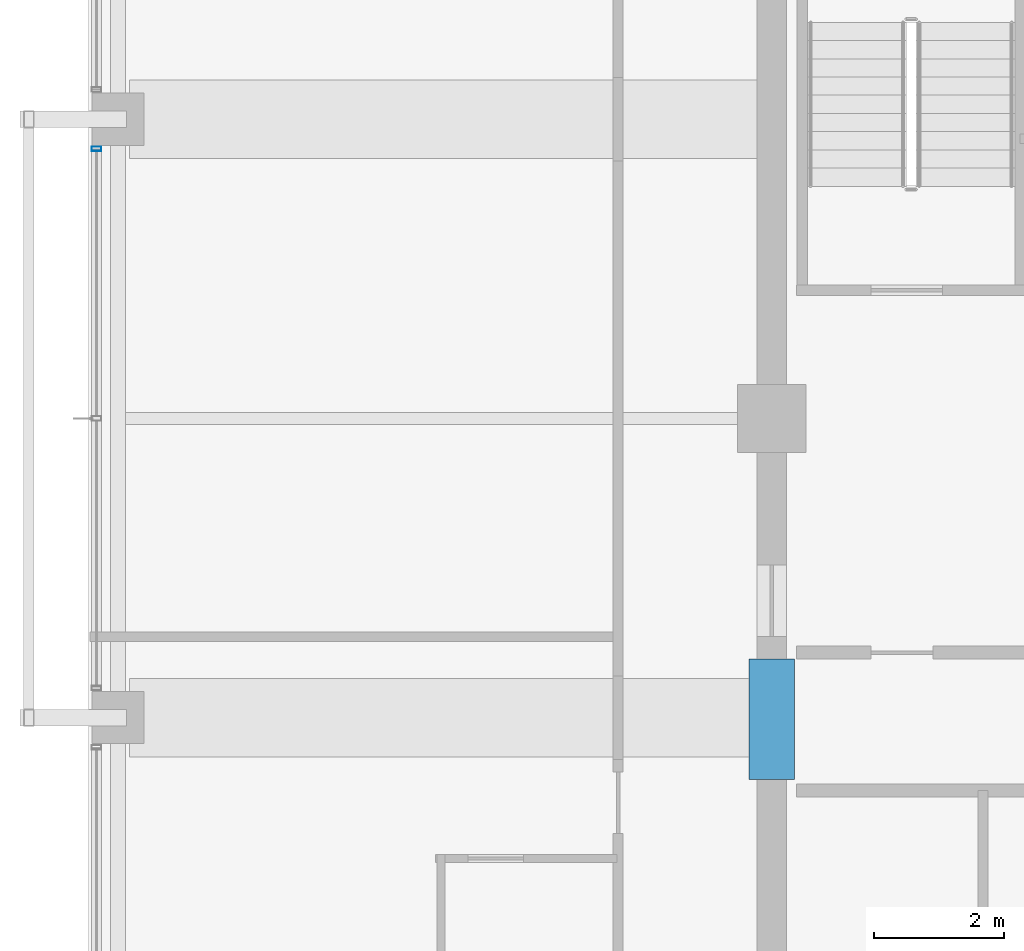
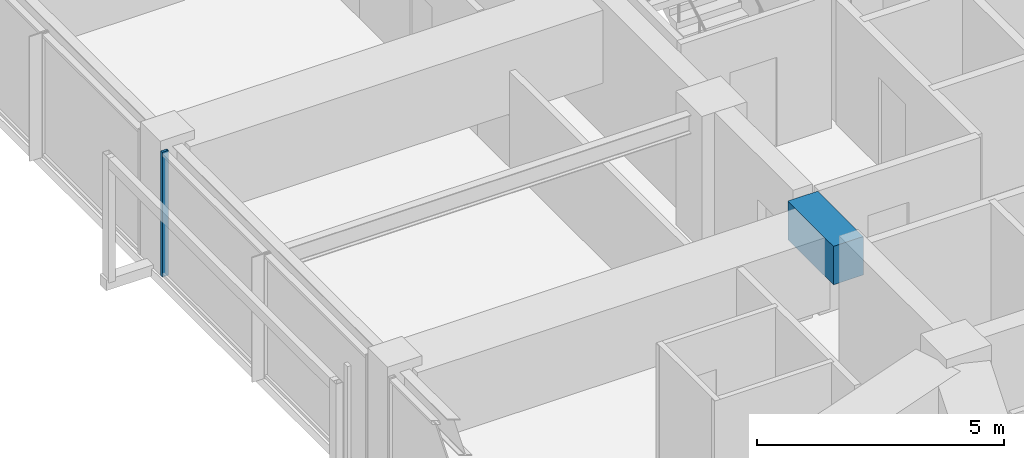
# One storey, part 9 of 37: 1 beam, 1 member, 1 element without a shape of its own.
"""IFC4 building model written with IfcOpenShell, lengths in metres."""

from ifc_helpers import new_model, si_unit, direction, frame, origin, origin_2d, place, context, subcontext, project, spatial, rectangle, hollow_rectangle, extrude, material, material_profile, profile_set, type_object, element, aggregate, save


model = new_model("IFC4")

# Units and contexts
model_context = context("Model", 3, precision=1e-05, world=origin(), true_north=direction((0.0, 1.0)))
body_context = subcontext(model_context, "Body", "Model", "MODEL_VIEW")
ifc_project = project(units=[si_unit("LENGTHUNIT", "METRE"), si_unit("AREAUNIT", "SQUARE_METRE"), si_unit("VOLUMEUNIT", "CUBIC_METRE"), si_unit("PLANEANGLEUNIT", "RADIAN"), si_unit("MASSUNIT", "GRAM", prefix="KILO")], contexts=[model_context])

# Site, building, storey
site_placement = place(None, origin())
site = spatial("IfcSite", under=ifc_project, at=site_placement, CompositionType="ELEMENT")
building_placement = place(site_placement, origin())
building = spatial("IfcBuilding", under=site, at=building_placement, Name="Kolvaren Belvedere", CompositionType="ELEMENT")
storey_placement = place(building_placement, frame((0.0, 0.0, 219.60009765625)))
storey = spatial("IfcBuildingStorey", under=building, at=storey_placement, Name="L64", CompositionType="ELEMENT", Elevation=219.60009765625)

# Beam
ifc_material_1 = material(Name="Concrete C60/75", Category="concrete")
ifc_material_profile_1 = material_profile(ifc_material_1, rectangle(XDim=0.699951171875, YDim=0.949951171875, at=origin_2d()), Name="RC 700X950")
ifc_profile_set_1 = profile_set([ifc_material_profile_1], Name="Concrete C60/75")
beam_type = type_object("IfcBeamType", Name="BM-LINT-950", PredefinedType="LINTEL", material=ifc_profile_set_1)
beam_placement = place(storey_placement, frame((-9.89990234375, -5.550048828125, 2.60498046875), z_axis=(0.0, 1.0, 0.0), x_axis=(-1.0, 0.0, 0.0)))
element("IfcBeam", 1, at=beam_placement, inside=storey, type_object=beam_type, Name="L64 West Core Coupling Lintel", PredefinedType="LINTEL", context=body_context, shape_type="SweptSolid", body=[
    extrude(rectangle(XDim=0.699951171875, YDim=0.949951171875, at=origin_2d()), origin(), (0.0, 0.0, 1.0), 1.85009765625),
])

# Curtain wall, member
ifc_material_2 = material(Name="Anodised pale-metal aluminium AA 6063-T6", Category="aluminium")
curtain_wall_type = type_object("IfcCurtainWallType", Name="CW-Z5-HIGH", PredefinedType="NOTDEFINED", material=ifc_material_2)
curtain_wall_placement = place(storey_placement, origin())
curtain_wall = element("IfcCurtainWall", 2, at=curtain_wall_placement, inside=storey, type_object=curtain_wall_type, Name="L64 Unitised Curtain Wall FCW-L64-W-B2", PredefinedType="NOTDEFINED")
ifc_material_3 = material(Name="Anodised pale-metal aluminium AA 6063-T6", Category="aluminium")
ifc_material_profile_2 = material_profile(ifc_material_3, hollow_rectangle(XDim=0.070068359375, YDim=0.14990234375, WallThickness=0.004150390625, at=origin_2d()), Name="ALU-MUL-150X70")
ifc_profile_set_2 = profile_set([ifc_material_profile_2], Name="Anodised pale-metal aluminium AA 6063-T6")
member_type = type_object("IfcMemberType", Name="CW-MUL-150", PredefinedType="MULLION", material=ifc_profile_set_2)
member_placement = place(storey_placement, frame((-20.280029296875, 4.14501953125, 0.0), z_axis=(0.0, 0.0, 1.0), x_axis=(0.0, 1.0, 0.0)))
member = element("IfcMember", 3, at=member_placement, type_object=member_type, Name="FCW-L64-W-B2 Unitised Mullion 3", PredefinedType="MULLION", context=body_context, shape_type="SweptSolid", body=[
    extrude(hollow_rectangle(XDim=0.070068359375, YDim=0.14990234375, WallThickness=0.004150390625, at=origin_2d()), origin(), (0.0, 0.0, 1.0), 3.079833984375),
])
aggregate(curtain_wall, [member])

save(model, "model.ifc")
